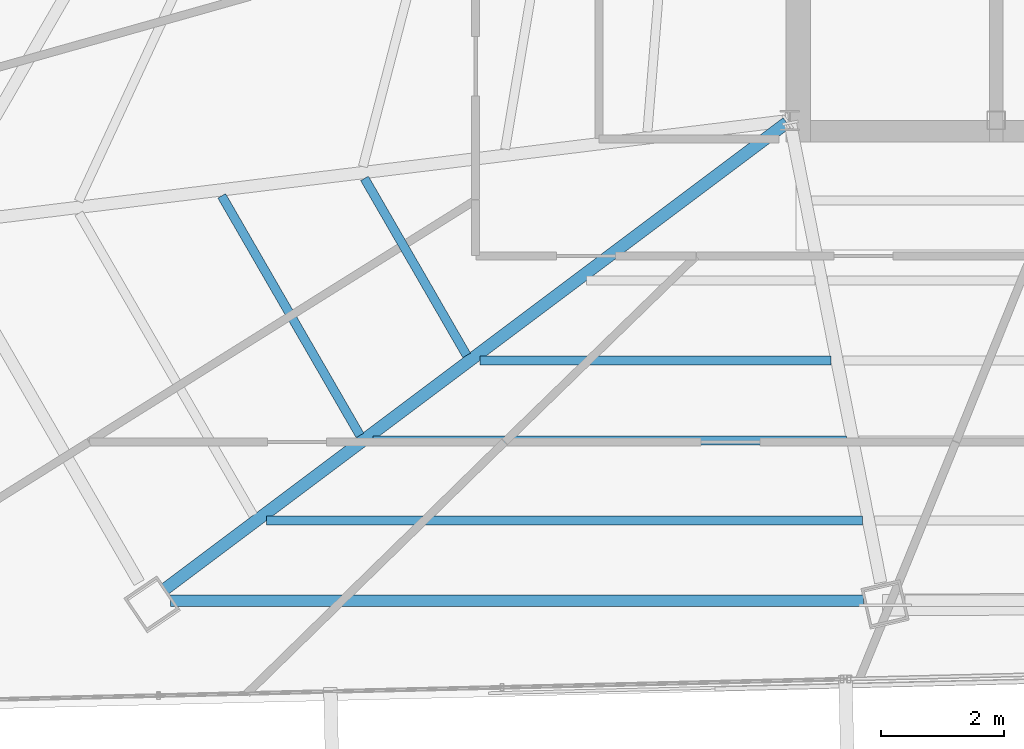
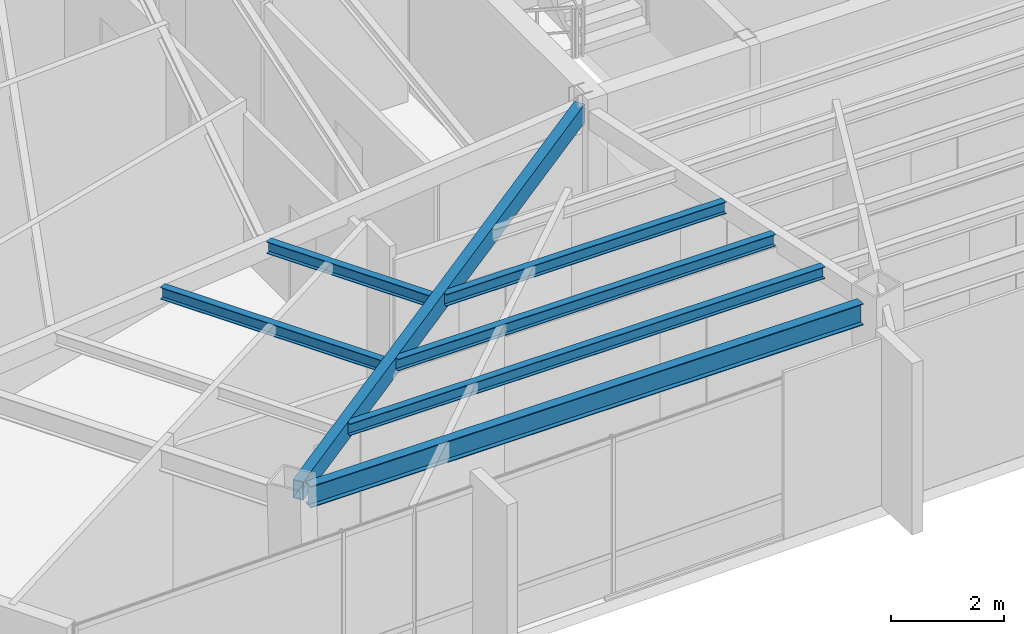
# One storey, part 6 of 45: 7 beams.
"""IFC4 building model written with IfcOpenShell, lengths in metres."""

from ifc_helpers import new_model, si_unit, direction, frame, origin, origin_2d, place, context, subcontext, project, spatial, hollow_rectangle, i_section, extrude, source, transform, mapped, material, material_profile, profile_set, type_object, type_shapes, element, save


model = new_model("IFC4")

# Units and contexts
model_context = context("Model", 3, precision=1e-05, world=origin(), true_north=direction((0.0, 1.0)))
body_context = subcontext(model_context, "Body", "Model", "MODEL_VIEW")
ifc_project = project(units=[si_unit("LENGTHUNIT", "METRE"), si_unit("AREAUNIT", "SQUARE_METRE"), si_unit("VOLUMEUNIT", "CUBIC_METRE"), si_unit("PLANEANGLEUNIT", "RADIAN"), si_unit("MASSUNIT", "GRAM", prefix="KILO")], contexts=[model_context])

# Site, building, storey
site_placement = place(None, origin())
site = spatial("IfcSite", under=ifc_project, at=site_placement, CompositionType="ELEMENT")
building_placement = place(site_placement, origin())
building = spatial("IfcBuilding", under=site, at=building_placement, Name="Caelisora Broadcast Tower", CompositionType="ELEMENT")
storey_placement = place(building_placement, frame((0.0, 0.0, 266.35009765625)))
storey = spatial("IfcBuildingStorey", under=building, at=storey_placement, Name="L70", CompositionType="ELEMENT", Elevation=266.35009765625)

# Beams
ifc_material_1 = material(Name="Steel Grade 350 (AS/NZS 3679.1)", Category="steel")
ifc_material_profile_1 = material_profile(ifc_material_1, i_section(OverallWidth=0.19091796875, OverallDepth=0.46044921875, WebThickness=0.010009765625, FlangeThickness=0.01611328125, at=origin_2d()), Name="Steel Grade 350 (AS/NZS 3679.1)")
ifc_profile_set_1 = profile_set([ifc_material_profile_1], Name="Steel Grade 350 (AS/NZS 3679.1)")
beam_type_1 = type_object("IfcBeamType", Name="PG06", PredefinedType="BEAM", material=ifc_profile_set_1)
shared_shape_1 = source(origin(), body_context, "Body", "SweptSolid", [
    extrude(i_section(OverallWidth=0.19091796875, OverallDepth=0.46044921875, WebThickness=0.010009765625, FlangeThickness=0.01611328125, at=origin_2d()), origin(), (0.0, 0.0, 1.0), 11.25537109375),
])
type_shapes(beam_type_1, [shared_shape_1])
beam_1_placement = place(storey_placement, frame((20.44091796875, 9.601318359375, 3.169677734375), z_axis=(1.0, 0.0, 0.0), x_axis=(0.0, 1.0, 0.0)))
element("IfcBeam", 1, at=beam_1_placement, inside=storey, type_object=beam_type_1, Name="L70 beam PG06", PredefinedType="BEAM", context=body_context, shape_type="MappedRepresentation", body=[
    mapped(shared_shape_1, transform((0.0, 0.0, 0.0), scale=1.0)),
])
ifc_material_2 = material(Name="Steel Grade 350 (AS/NZS 1163 C350L0)", Category="steel")
ifc_material_profile_2 = material_profile(ifc_material_2, hollow_rectangle(XDim=0.199951171875, YDim=0.39990234375, WallThickness=0.012451171875, at=origin_2d()), Name="Steel Grade 350 (AS/NZS 1163 C350L0)")
ifc_profile_set_2 = profile_set([ifc_material_profile_2], Name="Steel Grade 350 (AS/NZS 1163 C350L0)")
beam_type_2 = type_object("IfcBeamType", Name="PG07", PredefinedType="BEAM", material=ifc_profile_set_2)
shared_shape_2 = source(origin(), body_context, "Body", "SweptSolid", [
    extrude(hollow_rectangle(XDim=0.199951171875, YDim=0.39990234375, WallThickness=0.012451171875, at=origin_2d()), origin(), (0.0, 0.0, 1.0), 12.638916015625),
])
type_shapes(beam_type_2, [shared_shape_2])
beam_2_placement = place(storey_placement, frame((30.451904296875, 17.364013671875, 3.199951171875), z_axis=(-0.7999605923, -0.600052540005, 0.0), x_axis=(0.600052540005, -0.7999605923, 0.0)))
element("IfcBeam", 2, at=beam_2_placement, inside=storey, type_object=beam_type_2, Name="L70 beam PG07", PredefinedType="BEAM", context=body_context, shape_type="MappedRepresentation", body=[
    mapped(shared_shape_2, transform((0.0, 0.0, 0.0), scale=1.0)),
])
ifc_material_profile_3 = material_profile(ifc_material_1, i_section(OverallWidth=0.14599609375, OverallDepth=0.256103515625, WebThickness=0.00634765625, FlangeThickness=0.010986328125, at=origin_2d()), Name="Steel Grade 350 (AS/NZS 3679.1)")
ifc_profile_set_3 = profile_set([ifc_material_profile_3], Name="Steel Grade 350 (AS/NZS 3679.1)")
beam_type_3 = type_object("IfcBeamType", Name="SB04", PredefinedType="JOIST", material=ifc_profile_set_3)
shared_shape_3 = source(origin(), body_context, "Body", "SweptSolid", [
    extrude(i_section(OverallWidth=0.14599609375, OverallDepth=0.256103515625, WebThickness=0.00634765625, FlangeThickness=0.010986328125, at=origin_2d()), origin(), (0.0, 0.0, 1.0), 3.31787109375),
])
beam_3_placement = place(storey_placement, frame((23.59375, 16.45849609375, 3.271728515625), z_axis=(0.500009088543, -0.866020156448, 0.0), x_axis=(0.866020156448, 0.500009088543, 0.0)))
element("IfcBeam", 3, at=beam_3_placement, inside=storey, type_object=beam_type_3, Name="L70 beam SB04", PredefinedType="JOIST", context=body_context, shape_type="MappedRepresentation", body=[
    mapped(shared_shape_3, transform((0.0, 0.0, 0.0), scale=1.0)),
])
shared_shape_4 = source(origin(), body_context, "Body", "SweptSolid", [
    extrude(i_section(OverallWidth=0.14599609375, OverallDepth=0.256103515625, WebThickness=0.00634765625, FlangeThickness=0.010986328125, at=origin_2d()), origin(), (0.0, 0.0, 1.0), 4.491455078125),
])
beam_4_placement = place(storey_placement, frame((21.274169921875, 16.17529296875, 3.271728515625), z_axis=(0.499962419225, -0.866047099968, 0.0), x_axis=(0.866047099968, 0.499962419225, 0.0)))
element("IfcBeam", 4, at=beam_4_placement, inside=storey, type_object=beam_type_3, Name="L70 beam SB04", PredefinedType="JOIST", context=body_context, shape_type="MappedRepresentation", body=[
    mapped(shared_shape_4, transform((0.0, 0.0, 0.0), scale=1.0)),
])
shared_shape_5 = source(origin(), body_context, "Body", "SweptSolid", [
    extrude(i_section(OverallWidth=0.14599609375, OverallDepth=0.256103515625, WebThickness=0.00634765625, FlangeThickness=0.010986328125, at=origin_2d()), origin(), (0.0, 0.0, 1.0), 5.703125),
])
beam_5_placement = place(storey_placement, frame((25.465087890625, 13.500732421875, 3.271728515625), z_axis=(1.0, 0.0, 0.0), x_axis=(0.0, 1.0, 0.0)))
element("IfcBeam", 5, at=beam_5_placement, inside=storey, type_object=beam_type_3, Name="L70 beam SB04", PredefinedType="JOIST", context=body_context, shape_type="MappedRepresentation", body=[
    mapped(shared_shape_5, transform((0.0, 0.0, 0.0), scale=1.0)),
])
shared_shape_6 = source(origin(), body_context, "Body", "SweptSolid", [
    extrude(i_section(OverallWidth=0.14599609375, OverallDepth=0.256103515625, WebThickness=0.00634765625, FlangeThickness=0.010986328125, at=origin_2d()), origin(), (0.0, 0.0, 1.0), 7.691650390625),
])
beam_6_placement = place(storey_placement, frame((23.732421875, 12.200927734375, 3.271728515625), z_axis=(1.0, 0.0, 0.0), x_axis=(0.0, 1.0, 0.0)))
element("IfcBeam", 6, at=beam_6_placement, inside=storey, type_object=beam_type_3, Name="L70 beam SB04", PredefinedType="JOIST", context=body_context, shape_type="MappedRepresentation", body=[
    mapped(shared_shape_6, transform((0.0, 0.0, 0.0), scale=1.0)),
])
shared_shape_7 = source(origin(), body_context, "Body", "SweptSolid", [
    extrude(i_section(OverallWidth=0.14599609375, OverallDepth=0.256103515625, WebThickness=0.00634765625, FlangeThickness=0.010986328125, at=origin_2d()), origin(), (0.0, 0.0, 1.0), 9.68017578125),
])
type_shapes(beam_type_3, [shared_shape_3, shared_shape_4, shared_shape_5, shared_shape_6, shared_shape_7])
beam_7_placement = place(storey_placement, frame((21.99951171875, 10.901123046875, 3.271728515625), z_axis=(1.0, 0.0, 0.0), x_axis=(0.0, 1.0, 0.0)))
element("IfcBeam", 7, at=beam_7_placement, inside=storey, type_object=beam_type_3, Name="L70 beam SB04", PredefinedType="JOIST", context=body_context, shape_type="MappedRepresentation", body=[
    mapped(shared_shape_7, transform((0.0, 0.0, 0.0), scale=1.0)),
])

save(model, "model.ifc")
